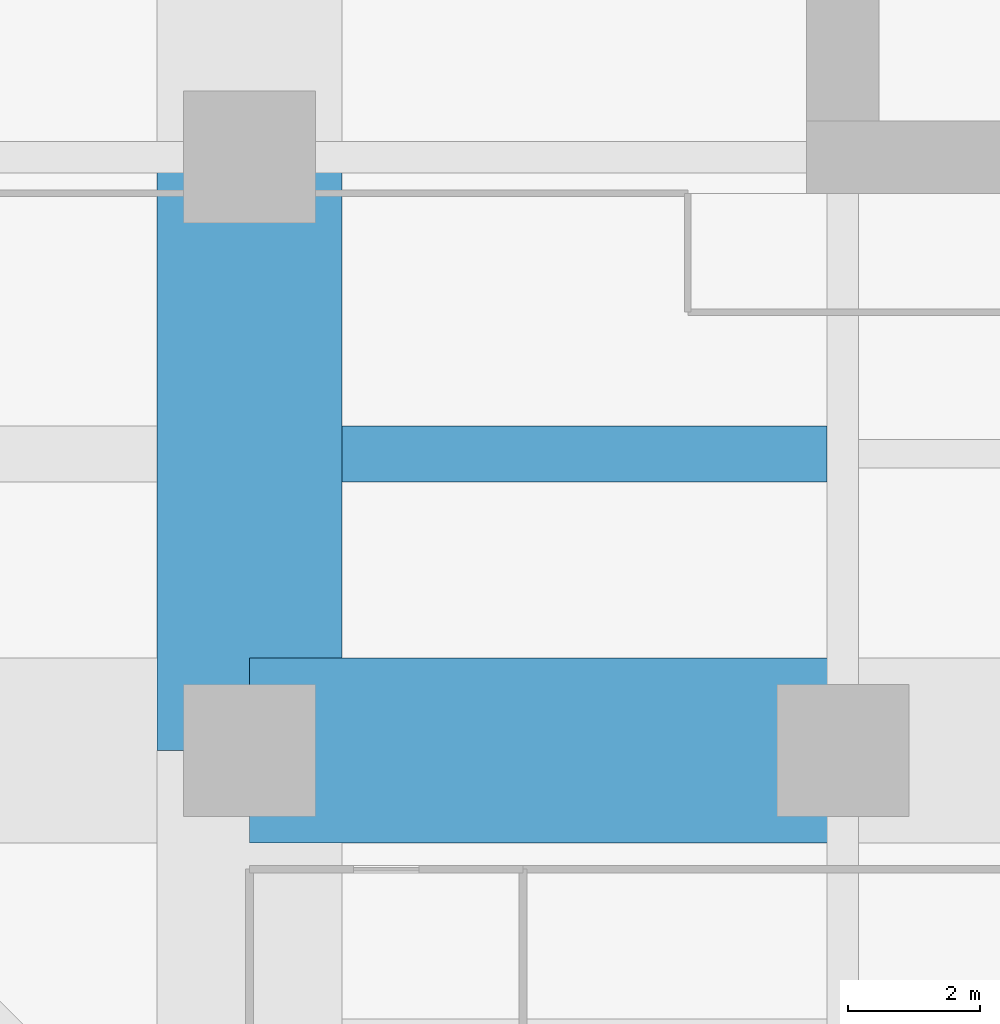
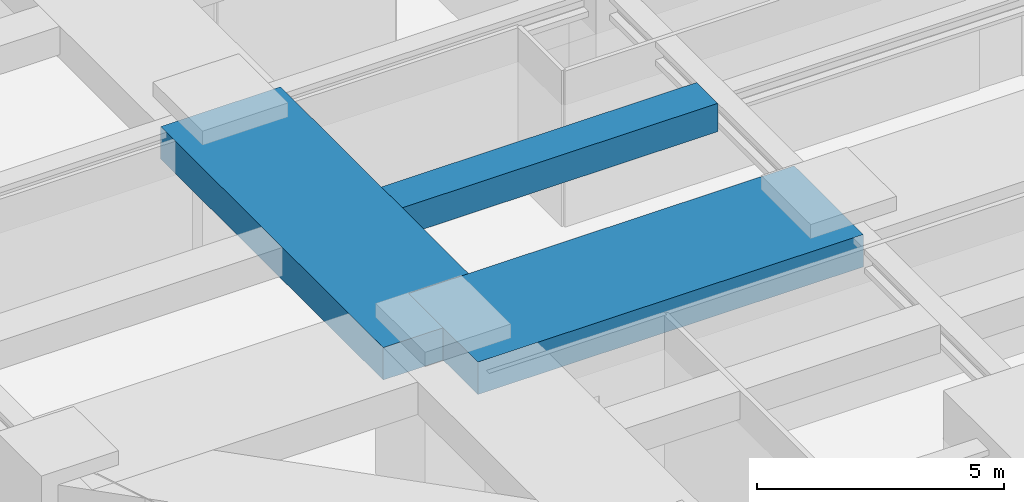
# One storey, part 6 of 45: 3 beams.
"""IFC4 building model written with IfcOpenShell, lengths in metres."""

from ifc_helpers import new_model, si_unit, direction, frame, origin, origin_2d, place, context, subcontext, project, spatial, rectangle, extrude, material, material_profile, profile_set, type_object, element, save


model = new_model("IFC4")

# Units and contexts
model_context = context("Model", 3, precision=1e-05, world=origin(), true_north=direction((0.0, 1.0)))
body_context = subcontext(model_context, "Body", "Model", "MODEL_VIEW")
ifc_project = project(units=[si_unit("LENGTHUNIT", "METRE"), si_unit("AREAUNIT", "SQUARE_METRE"), si_unit("VOLUMEUNIT", "CUBIC_METRE"), si_unit("PLANEANGLEUNIT", "RADIAN"), si_unit("MASSUNIT", "GRAM", prefix="KILO")], contexts=[model_context])

# Site, building, storey
site_placement = place(None, origin())
site = spatial("IfcSite", under=ifc_project, at=site_placement, CompositionType="ELEMENT")
building_placement = place(site_placement, origin())
building = spatial("IfcBuilding", under=site, at=building_placement, Name="Zorevar Civic Tower", CompositionType="ELEMENT")
storey_placement = place(building_placement, frame((0.0, 0.0, 153.0)))
storey = spatial("IfcBuildingStorey", under=building, at=storey_placement, Name="L37", CompositionType="ELEMENT", Elevation=153.0)

# Beams
ifc_material_1 = material(Name="Concrete C50/60", Category="concrete")
ifc_material_profile_1 = material_profile(ifc_material_1, rectangle(XDim=2.800048828125, YDim=0.800048828125, at=origin_2d()), Name="RC 2800x800")
ifc_profile_set_1 = profile_set([ifc_material_profile_1], Name="Concrete C50/60")
beam_type_1 = type_object("IfcBeamType", Name="Beam RC 2800x800", PredefinedType="BEAM", material=ifc_profile_set_1)
for number, where, z_axis, x_axis, name in (
    (1, (9.0, 9.0, 3.449951171875), (1.0, 0.0, 0.0), (0.0, 1.0, 0.0), "Girder L38"),
    (2, (9.0, 9.0, 3.449951171875), (0.0, 1.0, 0.0), (-1.0, 0.0, 0.0), "Girder L38"),
):
    element("IfcBeam", number, at=place(storey_placement, frame(where, z_axis=z_axis, x_axis=x_axis)), inside=storey, type_object=beam_type_1, Name=name, PredefinedType="BEAM", context=body_context, shape_type="SweptSolid", body=[
        extrude(rectangle(XDim=2.800048828125, YDim=0.800048828125, at=origin_2d()), origin(), (0.0, 0.0, 1.0), 9.0),
    ])
ifc_material_2 = material(Name="Concrete C50/60", Category="concrete")
ifc_material_profile_2 = material_profile(ifc_material_2, rectangle(XDim=0.85009765625, YDim=0.699951171875, at=origin_2d()), Name="RC 850x700")
ifc_profile_set_2 = profile_set([ifc_material_profile_2], Name="Concrete C50/60")
beam_type_2 = type_object("IfcBeamType", Name="Beam RC 850x700", PredefinedType="BEAM", material=ifc_profile_set_2)
beam_placement = place(storey_placement, frame((10.39990234375, 13.5, 3.5), z_axis=(1.0, 0.0, 0.0), x_axis=(0.0, 1.0, 0.0)))
element("IfcBeam", 3, at=beam_placement, inside=storey, type_object=beam_type_2, Name="Secondary beam L38", PredefinedType="BEAM", context=body_context, shape_type="SweptSolid", body=[
    extrude(rectangle(XDim=0.85009765625, YDim=0.699951171875, at=origin_2d()), origin(), (0.0, 0.0, 1.0), 7.362060546875),
])

save(model, "model.ifc")
